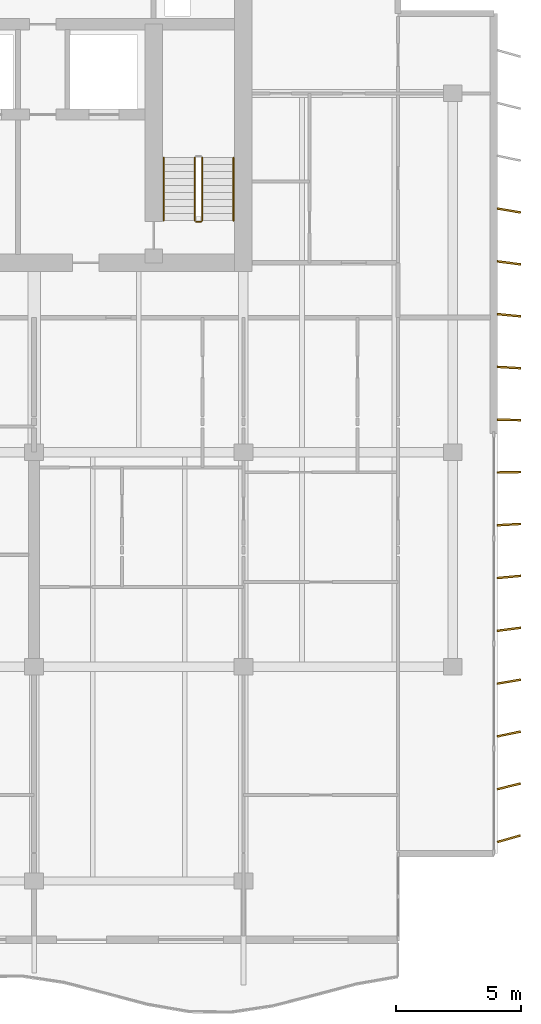
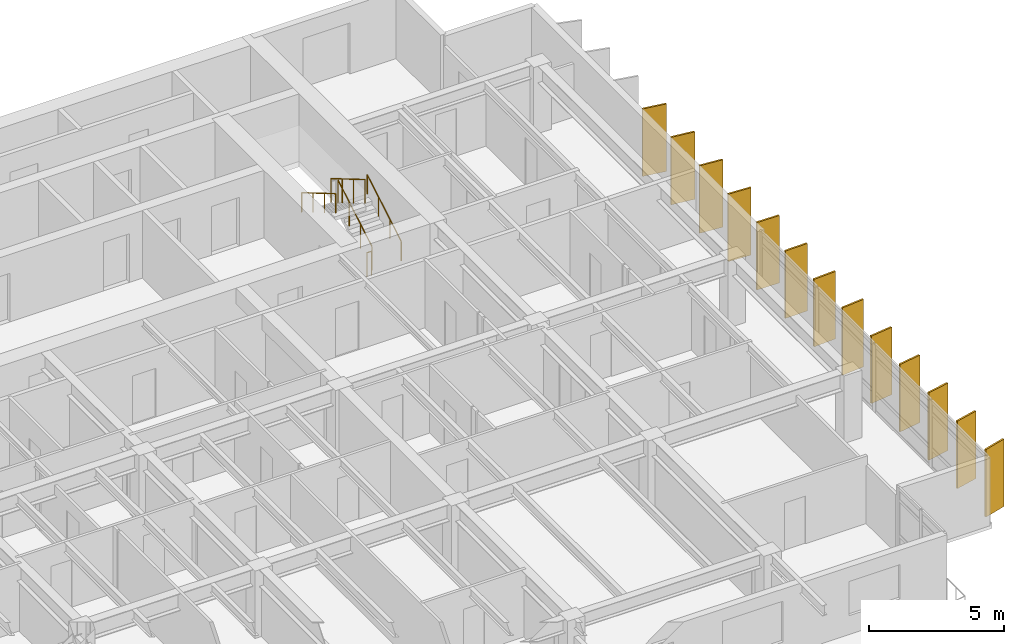
# One storey, part 15 of 17: 13 shading devices, 5 railings.
"""IFC4 building model written with IfcOpenShell, lengths in metres."""

from ifc_helpers import new_model, si_unit, direction, frame, origin, origin_2d, place, context, subcontext, project, spatial, rectangle, circle, extrude, material, material_profile, profile_set, type_object, element, save


model = new_model("IFC4")

# Units and contexts
model_context = context("Model", 3, precision=1e-05, world=origin(), true_north=direction((0.0, 1.0)))
body_context = subcontext(model_context, "Body", "Model", "MODEL_VIEW")
ifc_project = project(units=[si_unit("LENGTHUNIT", "METRE"), si_unit("AREAUNIT", "SQUARE_METRE"), si_unit("VOLUMEUNIT", "CUBIC_METRE"), si_unit("PLANEANGLEUNIT", "RADIAN"), si_unit("MASSUNIT", "GRAM", prefix="KILO")], contexts=[model_context])

# Site, building, storey
site_placement = place(None, origin())
site = spatial("IfcSite", under=ifc_project, at=site_placement, CompositionType="ELEMENT")
building_placement = place(site_placement, origin())
building = spatial("IfcBuilding", under=site, at=building_placement, Name="Caelmar Bay Residences", CompositionType="ELEMENT")
storey_placement = place(building_placement, frame((0.0, 0.0, 262.800048828125)))
storey = spatial("IfcBuildingStorey", under=building, at=storey_placement, Name="L74", CompositionType="ELEMENT", Elevation=262.800048828125)

# Railings
ifc_material_1 = material(Name="Painted galvanized steel stair guard 1100 mm", Category="steel")
railing_type_1 = type_object("IfcRailingType", Name="RL-GRD-1100", PredefinedType="GUARDRAIL", material=ifc_material_1)
railing_1_placement = place(storey_placement, frame((57.85009765625, 38.699951171875, 0.1650390625)))
element("IfcRailing", 1, at=railing_1_placement, inside=storey, type_object=railing_type_1, Name="L74 ST2 stair guard 1", PredefinedType="GUARDRAIL", context=body_context, shape_type="SweptSolid", body=[
    extrude(circle(Radius=0.02392578125, at=origin_2d()), frame((0.0, 0.0, 1.076171875), z_axis=(0.0, 0.861560626758, 0.507654692109), x_axis=(-1.0, 0.0, 0.0)), (0.0, 0.0, 1.0), 2.925048828125),
    extrude(circle(Radius=0.02099609375, at=origin_2d()), origin(), (0.0, 0.0, 1.0), 1.052001953125),
    extrude(circle(Radius=0.02099609375, at=origin_2d()), frame((0.0, 0.840087890625, 0.494873046875)), (0.0, 0.0, 1.0), 1.052001953125),
    extrude(circle(Radius=0.02099609375, at=origin_2d()), frame((0.0, 1.679931640625, 0.989990234375)), (0.0, 0.0, 1.0), 1.052001953125),
    extrude(circle(Radius=0.02099609375, at=origin_2d()), frame((0.0, 2.52001953125, 1.48486328125)), (0.0, 0.0, 1.0), 1.052001953125),
])
railing_2_placement = place(storey_placement, frame((57.550048828125, 41.219970703125, 1.81494140625)))
element("IfcRailing", 2, at=railing_2_placement, inside=storey, type_object=railing_type_1, Name="L74 ST2 stair guard 3", PredefinedType="GUARDRAIL", context=body_context, shape_type="SweptSolid", body=[
    extrude(circle(Radius=0.02392578125, at=origin_2d()), frame((0.0, 0.0, 1.076171875), z_axis=(0.0, -0.86152411907, 0.507716645641), x_axis=(1.0, 0.0, 0.0)), (0.0, 0.0, 1.0), 2.925048828125),
    extrude(circle(Radius=0.02099609375, at=origin_2d()), origin(), (0.0, 0.0, 1.0), 1.052001953125),
    extrude(circle(Radius=0.02099609375, at=origin_2d()), frame((0.0, -0.840087890625, 0.4951171875)), (0.0, 0.0, 1.0), 1.052001953125),
    extrude(circle(Radius=0.02099609375, at=origin_2d()), frame((0.0, -1.679931640625, 0.989990234375)), (0.0, 0.0, 1.0), 1.052001953125),
    extrude(circle(Radius=0.02099609375, at=origin_2d()), frame((0.0, -2.52001953125, 1.485107421875)), (0.0, 0.0, 1.0), 1.052001953125),
])
railing_3_placement = place(storey_placement, frame((57.800048828125, 38.64990234375, 0.0)))
element("IfcRailing", 3, at=railing_3_placement, inside=storey, type_object=railing_type_1, Name="L74 ST2 stair guard 4", PredefinedType="GUARDRAIL", context=body_context, shape_type="SweptSolid", body=[
    extrude(circle(Radius=0.02392578125, at=origin_2d()), frame((0.0, 0.0, 1.076171875), z_axis=(-1.0, 0.0, 0.0), x_axis=(0.0, -1.0, 0.0)), (0.0, 0.0, 1.0), 0.199951171875),
    extrude(circle(Radius=0.02099609375, at=origin_2d()), origin(), (0.0, 0.0, 1.0), 1.052001953125),
    extrude(circle(Radius=0.02099609375, at=origin_2d()), frame((-0.199951171875, 0.0, 0.0)), (0.0, 0.0, 1.0), 1.052001953125),
])
ifc_material_2 = material(Name="Brushed bronze stainless-steel tubular handrail 900 mm", Category="steel")
railing_type_2 = type_object("IfcRailingType", Name="RL-HND-900", PredefinedType="HANDRAIL", material=ifc_material_2)
railing_4_placement = place(storey_placement, frame((59.10009765625, 38.699951171875, 0.1650390625)))
element("IfcRailing", 4, at=railing_4_placement, inside=storey, type_object=railing_type_2, Name="L74 ST2 stair handrail 1", PredefinedType="HANDRAIL", context=body_context, shape_type="SweptSolid", body=[
    extrude(circle(Radius=0.02392578125, at=origin_2d()), frame((0.0, 0.0, 0.8759765625), z_axis=(0.0, 0.861560626758, 0.507654692109), x_axis=(-1.0, 0.0, 0.0)), (0.0, 0.0, 1.0), 2.925048828125),
    extrude(circle(Radius=0.02099609375, at=origin_2d()), origin(), (0.0, 0.0, 1.0), 0.851806640625),
    extrude(circle(Radius=0.02099609375, at=origin_2d()), frame((0.0, 0.840087890625, 0.494873046875)), (0.0, 0.0, 1.0), 0.851806640625),
    extrude(circle(Radius=0.02099609375, at=origin_2d()), frame((0.0, 1.679931640625, 0.989990234375)), (0.0, 0.0, 1.0), 0.851806640625),
    extrude(circle(Radius=0.02099609375, at=origin_2d()), frame((0.0, 2.52001953125, 1.48486328125)), (0.0, 0.0, 1.0), 0.851806640625),
])
railing_5_placement = place(storey_placement, frame((56.300048828125, 41.219970703125, 1.81494140625)))
element("IfcRailing", 5, at=railing_5_placement, inside=storey, type_object=railing_type_2, Name="L74 ST2 stair handrail 2", PredefinedType="HANDRAIL", context=body_context, shape_type="SweptSolid", body=[
    extrude(circle(Radius=0.02392578125, at=origin_2d()), frame((0.0, 0.0, 0.8759765625), z_axis=(0.0, -0.86152411907, 0.507716645641), x_axis=(1.0, 0.0, 0.0)), (0.0, 0.0, 1.0), 2.925048828125),
    extrude(circle(Radius=0.02099609375, at=origin_2d()), origin(), (0.0, 0.0, 1.0), 0.851806640625),
    extrude(circle(Radius=0.02099609375, at=origin_2d()), frame((0.0, -0.840087890625, 0.4951171875)), (0.0, 0.0, 1.0), 0.851806640625),
    extrude(circle(Radius=0.02099609375, at=origin_2d()), frame((0.0, -1.679931640625, 0.989990234375)), (0.0, 0.0, 1.0), 0.851806640625),
    extrude(circle(Radius=0.02099609375, at=origin_2d()), frame((0.0, -2.52001953125, 1.485107421875)), (0.0, 0.0, 1.0), 0.851806640625),
])

# Shading devices
ifc_material_3 = material(Name="Anodised architectural bronze aluminium 6063-T6", Category="aluminium")
ifc_material_profile = material_profile(ifc_material_3, rectangle(XDim=0.074951171875, YDim=0.949951171875, at=origin_2d()), Name="BRONZE-FIN-75X950")
ifc_profile_set = profile_set([ifc_material_profile], Name="Anodised architectural bronze aluminium 6063-T6")
shading_device_type = type_object("IfcShadingDeviceType", Name="SHD-FIN-950", PredefinedType="USERDEFINED", material=ifc_profile_set)
for number, where, z_axis, x_axis, name in (
    (6, (70.14990234375, 13.89990234375, 0.0), (0.0, 0.0, 1.0), (-0.275637355817, 0.961261695938, 0.0), "L74 East Bronze Solar Fin 1"),
    (7, (70.14990234375, 16.0, 0.0), (0.0, 0.0, 1.0), (-0.239719743609, 0.970842131618, 0.0), "L74 East Bronze Solar Fin 2"),
    (8, (70.14990234375, 18.10009765625, 0.0), (0.0, 0.0, 1.0), (-0.2032999874, 0.979116497217, 0.0), "L74 East Bronze Solar Fin 3"),
    (9, (70.14990234375, 20.199951171875, 0.0), (0.0, 0.0, 1.0), (-0.166768746716, 0.985996037071, 0.0), "L74 East Bronze Solar Fin 4"),
    (10, (70.14990234375, 22.300048828125, 0.0), (0.0, 0.0, 1.0), (-0.130007055036, 0.99151306882, 0.0), "L74 East Bronze Solar Fin 5"),
    (11, (70.14990234375, 24.39990234375, 0.0), (0.0, 0.0, 1.0), (-0.092891934994, 0.995676196569, 0.0), "L74 East Bronze Solar Fin 6"),
    (12, (70.14990234375, 26.5, 0.0), (0.0, 0.0, 1.0), (-0.055821504993, 0.998440764182, 0.0), "L74 East Bronze Solar Fin 7"),
    (13, (70.14990234375, 28.60009765625, 0.0), (0.0, 0.0, 1.0), (-0.018673937509, 0.999825626826, 0.0), "L74 East Bronze Solar Fin 8"),
    (14, (70.14990234375, 30.699951171875, 0.0), (0.0, 0.0, 1.0), (0.018673937509, 0.999825626826, 0.0), "L74 East Bronze Solar Fin 9"),
    (15, (70.14990234375, 32.800048828125, 0.0), (0.0, 0.0, 1.0), (0.055821504993, 0.998440764182, 0.0), "L74 East Bronze Solar Fin 10"),
    (16, (70.14990234375, 34.89990234375, 0.0), (0.0, 0.0, 1.0), (0.092891934994, 0.995676196569, 0.0), "L74 East Bronze Solar Fin 11"),
    (17, (70.14990234375, 37.0, 0.0), (0.0, 0.0, 1.0), (0.130007055036, 0.99151306882, 0.0), "L74 East Bronze Solar Fin 12"),
    (18, (70.14990234375, 39.10009765625, 0.0), (0.0, 0.0, 1.0), (0.166768746716, 0.985996037071, 0.0), "L74 East Bronze Solar Fin 13"),
):
    element("IfcShadingDevice", number, at=place(storey_placement, frame(where, z_axis=z_axis, x_axis=x_axis)), inside=storey, type_object=shading_device_type, Name=name, ObjectType="FIN", PredefinedType="USERDEFINED", context=body_context, shape_type="SweptSolid", body=[
        extrude(rectangle(XDim=0.074951171875, YDim=0.949951171875, at=origin_2d()), origin(), (0.0, 0.0, 1.0), 3.050048828125),
    ])

save(model, "model.ifc")
